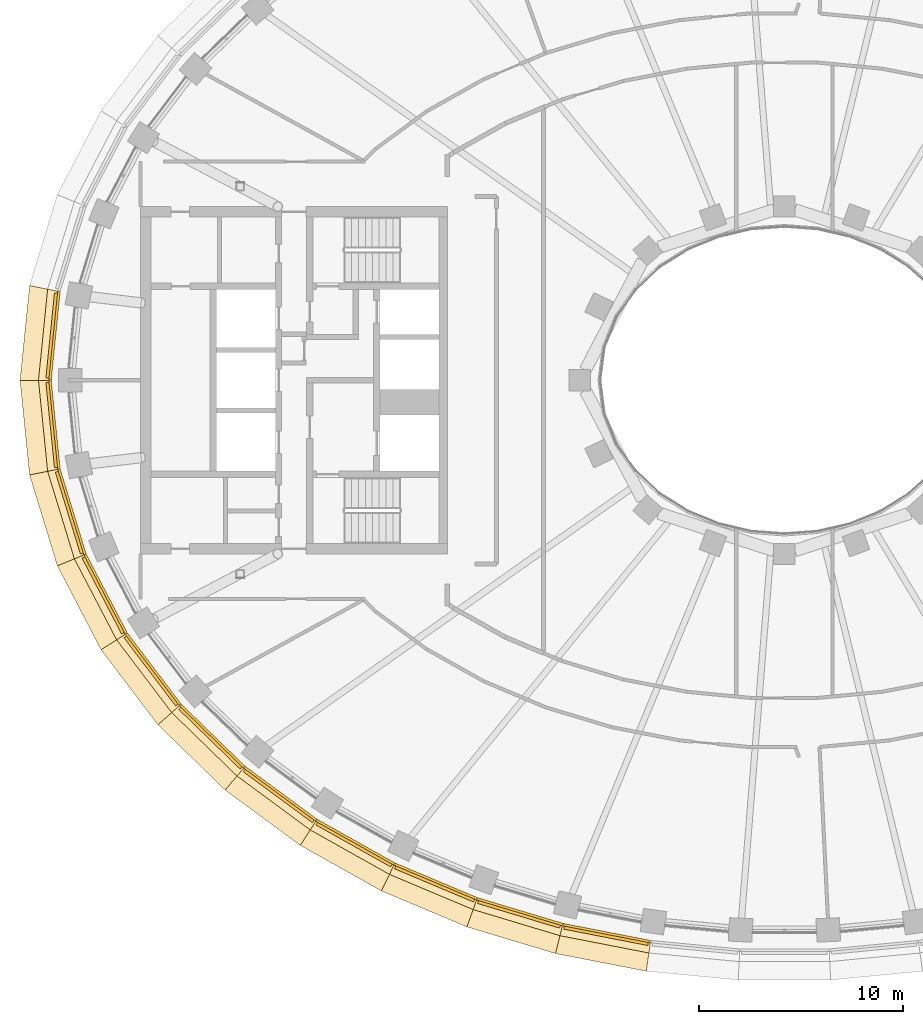
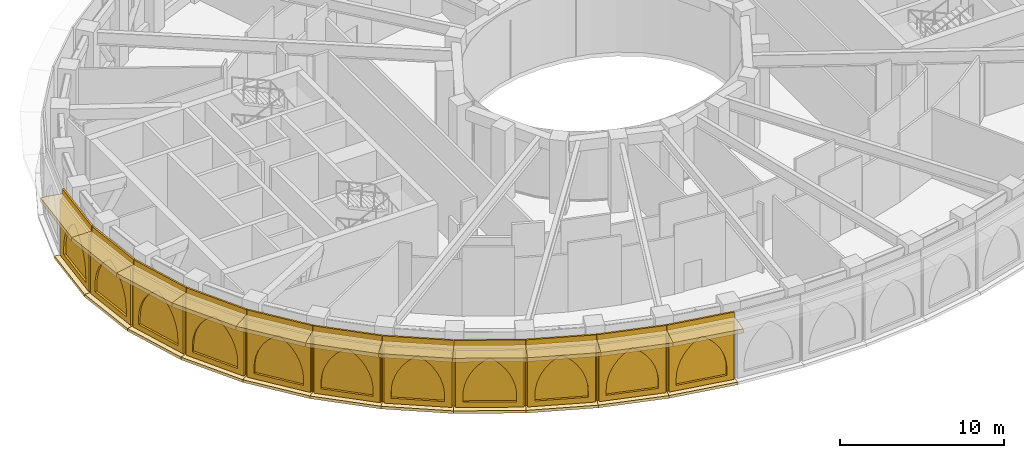
# One storey, part 20 of 25: 44 coverings.
"""IFC4 building model written with IfcOpenShell, lengths in metres."""

from ifc_helpers import new_model, si_unit, direction, frame, origin, origin_2d, place, context, subcontext, project, spatial, polyline, rectangle, outline, extrude, material, layer, layer_set, type_object, element, save


model = new_model("IFC4")

# Units and contexts
model_context = context("Model", 3, precision=1e-05, world=origin(), true_north=direction((0.0, 1.0)))
body_context = subcontext(model_context, "Body", "Model", "MODEL_VIEW")
ifc_project = project(units=[si_unit("LENGTHUNIT", "METRE"), si_unit("AREAUNIT", "SQUARE_METRE"), si_unit("VOLUMEUNIT", "CUBIC_METRE"), si_unit("PLANEANGLEUNIT", "RADIAN"), si_unit("MASSUNIT", "GRAM", prefix="KILO")], contexts=[model_context])

# Site, building, storey
site_placement = place(None, origin())
site = spatial("IfcSite", under=ifc_project, at=site_placement, CompositionType="ELEMENT")
building_placement = place(site_placement, origin())
building = spatial("IfcBuilding", under=site, at=building_placement, Name="Noorbagh Ring Tower", CompositionType="ELEMENT")
storey_placement = place(building_placement, frame((0.0, 0.0, 198.0)))
storey = spatial("IfcBuildingStorey", under=building, at=storey_placement, Name="L46", CompositionType="ELEMENT", Elevation=198.0)

# Coverings
ifc_material_1 = material(Name="Aluminium 6063-T6 black anodised", Category="aluminium")
ifc_layer_1 = layer(ifc_material_1, 0.1201171875)
ifc_layer_set_1 = layer_set([ifc_layer_1], Name="Aluminium 6063-T6 black anodised")
covering_type_1 = type_object("IfcCoveringType", Name="ENV-LOUVRE-BAND", PredefinedType="CLADDING", material=ifc_layer_set_1)
for number, where, z_axis, x_axis, name in (
    (1, (-35.720947265625, 2.17333984375, -0.2998046875), (0.0, 0.0, 1.0), (-0.100178263068, -0.994969504864, 0.0), "Louvre screen chord 23"),
    (2, (-35.720947265625, -2.17333984375, -0.2998046875), (0.0, 0.0, 1.0), (0.100178263068, -0.994969504864, 0.0), "Louvre screen chord 24"),
):
    element("IfcCovering", number, at=place(storey_placement, frame(where, z_axis=z_axis, x_axis=x_axis)), inside=storey, type_object=covering_type_1, Name=name, ObjectType="LOUVRE", PredefinedType="CLADDING", context=body_context, shape_type="SweptSolid", body=[
        extrude(rectangle(XDim=4.34423828125, YDim=0.1201171875, at=origin_2d()), origin(), (0.0, 0.0, 1.0), 5.449951171875),
    ])
covering_1_placement = place(storey_placement, frame((-34.86376953125, -6.436279296875, -0.2998046875), z_axis=(0.0, 0.0, 1.0), x_axis=(0.292170066961, -0.95636637957, 0.0)))
element("IfcCovering", 3, at=covering_1_placement, inside=storey, type_object=covering_type_1, Name="Louvre screen chord 25", ObjectType="LOUVRE", PredefinedType="CLADDING", context=body_context, shape_type="SweptSolid", body=[
    extrude(rectangle(XDim=4.344970703125, YDim=0.1201171875, at=origin_2d()), origin(), (0.0, 0.0, 1.0), 5.449951171875),
])
covering_2_placement = place(storey_placement, frame((-33.21484375, -10.464111328125, -0.2998046875), z_axis=(0.0, 0.0, 1.0), x_axis=(0.462278064231, -0.88673501754, 0.0)))
element("IfcCovering", 4, at=covering_2_placement, inside=storey, type_object=covering_type_1, Name="Louvre screen chord 26", ObjectType="LOUVRE", PredefinedType="CLADDING", context=body_context, shape_type="SweptSolid", body=[
    extrude(rectangle(XDim=4.345947265625, YDim=0.1201171875, at=origin_2d()), origin(), (0.0, 0.0, 1.0), 5.449951171875),
])
covering_3_placement = place(storey_placement, frame((-30.883544921875, -14.145263671875, -0.2998046875), z_axis=(0.0, 0.0, 1.0), x_axis=(0.604020184358, -0.796969018776, 0.0)))
element("IfcCovering", 5, at=covering_3_placement, inside=storey, type_object=covering_type_1, Name="Louvre screen chord 27", ObjectType="LOUVRE", PredefinedType="CLADDING", context=body_context, shape_type="SweptSolid", body=[
    extrude(rectangle(XDim=4.346923828125, YDim=0.1201171875, at=origin_2d()), origin(), (0.0, 0.0, 1.0), 5.449951171875),
])
covering_4_placement = place(storey_placement, frame((-27.993408203125, -17.41259765625, -0.2998046875), z_axis=(0.0, 0.0, 1.0), x_axis=(0.717224548362, -0.696842125038, 0.0)))
element("IfcCovering", 6, at=covering_4_placement, inside=storey, type_object=covering_type_1, Name="Louvre screen chord 28", ObjectType="LOUVRE", PredefinedType="CLADDING", context=body_context, shape_type="SweptSolid", body=[
    extrude(rectangle(XDim=4.347900390625, YDim=0.1201171875, at=origin_2d()), origin(), (0.0, 0.0, 1.0), 5.449951171875),
])
covering_5_placement = place(storey_placement, frame((-24.662109375, -20.2353515625, -0.2998046875), z_axis=(0.0, 0.0, 1.0), x_axis=(0.805153045326, -0.593067090304, 0.0)))
element("IfcCovering", 7, at=covering_5_placement, inside=storey, type_object=covering_type_1, Name="Louvre screen chord 29", ObjectType="LOUVRE", PredefinedType="CLADDING", context=body_context, shape_type="SweptSolid", body=[
    extrude(rectangle(XDim=4.3486328125, YDim=0.1201171875, at=origin_2d()), origin(), (0.0, 0.0, 1.0), 5.449951171875),
])
covering_6_placement = place(storey_placement, frame((-20.990966796875, -22.604736328125, -0.2998046875), z_axis=(0.0, 0.0, 1.0), x_axis=(0.872044586249, -0.48942643941, 0.0)))
element("IfcCovering", 8, at=covering_6_placement, inside=storey, type_object=covering_type_1, Name="Louvre screen chord 30", ObjectType="LOUVRE", PredefinedType="CLADDING", context=body_context, shape_type="SweptSolid", body=[
    extrude(rectangle(XDim=4.34912109375, YDim=0.1201171875, at=origin_2d()), origin(), (0.0, 0.0, 1.0), 5.449951171875),
])
covering_7_placement = place(storey_placement, frame((-17.0634765625, -24.52490234375, -0.2998046875), z_axis=(0.0, 0.0, 1.0), x_axis=(0.921811566494, -0.387638279686, 0.0)))
element("IfcCovering", 9, at=covering_7_placement, inside=storey, type_object=covering_type_1, Name="Louvre screen chord 31", ObjectType="LOUVRE", PredefinedType="CLADDING", context=body_context, shape_type="SweptSolid", body=[
    extrude(rectangle(XDim=4.349365234375, YDim=0.1201171875, at=origin_2d()), origin(), (0.0, 0.0, 1.0), 5.449951171875),
])
covering_8_placement = place(storey_placement, frame((-12.947998046875, -26.0048828125, -0.2998046875), z_axis=(0.0, 0.0, 1.0), x_axis=(0.957577925467, -0.28817445525, 0.0)))
element("IfcCovering", 10, at=covering_8_placement, inside=storey, type_object=covering_type_1, Name="Louvre screen chord 32", ObjectType="LOUVRE", PredefinedType="CLADDING", context=body_context, shape_type="SweptSolid", body=[
    extrude(rectangle(XDim=4.349609375, YDim=0.1201171875, at=origin_2d()), origin(), (0.0, 0.0, 1.0), 5.449951171875),
])
covering_9_placement = place(storey_placement, frame((-8.700927734375, -27.053955078125, -0.2998046875), z_axis=(0.0, 0.0, 1.0), x_axis=(0.981624952922, -0.190820470077, 0.0)))
element("IfcCovering", 11, at=covering_9_placement, inside=storey, type_object=covering_type_1, Name="Louvre screen chord 33", ObjectType="LOUVRE", PredefinedType="CLADDING", context=body_context, shape_type="SweptSolid", body=[
    extrude(rectangle(XDim=4.349853515625, YDim=0.1201171875, at=origin_2d()), origin(), (0.0, 0.0, 1.0), 5.449951171875),
])
ifc_material_2 = material(Name="Red sandstone cladding", Category="masonry")
ifc_layer_2 = layer(ifc_material_2, 0.14990234375)
ifc_layer_set_2 = layer_set([ifc_layer_2], Name="Red sandstone cladding")
covering_type_2 = type_object("IfcCoveringType", Name="STYLE-BAND-ARCADE", PredefinedType="USERDEFINED", material=ifc_layer_set_2)
for number, where, z_axis, x_axis, name in (
    (12, (-35.720458984375, 4.274169921875, 0.25), (-0.99497222215, 0.100151271334, 0.0), (-0.100151271334, -0.99497222215, 0.0), "Blind arch bay of the band"),
    (13, (-36.13916015625, -0.114501953125, 0.25), (-0.99497222215, -0.100151271334, 0.0), (0.100151271334, -0.99497222215, 0.0), "Blind arch bay of the band"),
):
    element("IfcCovering", number, at=place(storey_placement, frame(where, z_axis=z_axis, x_axis=x_axis)), inside=storey, type_object=covering_type_2, Name=name, ObjectType="ARCH", PredefinedType="USERDEFINED", context=body_context, shape_type="SweptSolid", body=[
        extrude(outline(polyline([(0.0, 0.0), (4.1806640625, 0.0), (4.1806640625, 4.25), (0.0, 4.25), (0.0, 0.0)]), holes=[polyline([(0.449951171875, 0.39990234375), (0.449951171875, 0.85888671875), (0.47802734375, 1.287109375), (0.561767578125, 1.7080078125), (0.69970703125, 2.114501953125), (0.889404296875, 2.499267578125), (1.1279296875, 2.856201171875), (1.410888671875, 3.1787109375), (1.7333984375, 3.461669921875), (2.09033203125, 3.7001953125), (2.447265625, 3.461669921875), (2.769775390625, 3.1787109375), (3.052734375, 2.856201171875), (3.291259765625, 2.499267578125), (3.48095703125, 2.114501953125), (3.618896484375, 1.7080078125), (3.70263671875, 1.287109375), (3.730712890625, 0.85888671875), (3.730712890625, 0.39990234375), (0.449951171875, 0.39990234375)])]), origin(), (0.0, 0.0, -1.0), 0.14990234375),
    ])
covering_10_placement = place(storey_placement, frame((-35.67529296875, -4.498046875, 0.25), z_axis=(-0.956367886414, -0.292165134531, 0.0), x_axis=(0.292165134531, -0.956367886414, 0.0)))
element("IfcCovering", 14, at=covering_10_placement, inside=storey, type_object=covering_type_2, Name="Blind arch bay of the band", ObjectType="ARCH", PredefinedType="USERDEFINED", context=body_context, shape_type="SweptSolid", body=[
    extrude(outline(polyline([(0.0, 0.0), (4.181396484375, 0.0), (4.181396484375, 4.25), (0.0, 4.25), (0.0, 0.0)]), holes=[polyline([(0.449951171875, 0.39990234375), (0.449951171875, 0.8583984375), (0.47802734375, 1.28662109375), (0.561767578125, 1.70751953125), (0.69970703125, 2.114013671875), (0.8896484375, 2.4990234375), (1.128173828125, 2.85595703125), (1.4111328125, 3.1787109375), (1.73388671875, 3.461669921875), (2.0908203125, 3.7001953125), (2.447509765625, 3.461669921875), (2.770263671875, 3.1787109375), (3.05322265625, 2.85595703125), (3.291748046875, 2.4990234375), (3.4814453125, 2.114013671875), (3.619384765625, 1.70751953125), (3.703125, 1.28662109375), (3.731201171875, 0.8583984375), (3.731201171875, 0.39990234375), (0.449951171875, 0.39990234375)])]), origin(), (0.0, 0.0, -1.0), 0.14990234375),
])
covering_11_placement = place(storey_placement, frame((-34.367919921875, -8.706787109375, 0.25), z_axis=(-0.886709716342, -0.462326593379, 0.0), x_axis=(0.462326593379, -0.886709716342, 0.0)))
element("IfcCovering", 15, at=covering_11_placement, inside=storey, type_object=covering_type_2, Name="Blind arch bay of the band", ObjectType="ARCH", PredefinedType="USERDEFINED", context=body_context, shape_type="SweptSolid", body=[
    extrude(outline(polyline([(0.0, 0.0), (4.182373046875, 0.0), (4.182373046875, 4.25), (0.0, 4.25), (0.0, 0.0)]), holes=[polyline([(0.449951171875, 0.39990234375), (0.449951171875, 0.857421875), (0.47802734375, 1.285888671875), (0.561767578125, 1.70703125), (0.699951171875, 2.113525390625), (0.8896484375, 2.498779296875), (1.12841796875, 2.855712890625), (1.411376953125, 3.178466796875), (1.734130859375, 3.461669921875), (2.09130859375, 3.7001953125), (2.447998046875, 3.461669921875), (2.77099609375, 3.178466796875), (3.053955078125, 2.855712890625), (3.29248046875, 2.498779296875), (3.482421875, 2.113525390625), (3.62060546875, 1.70703125), (3.7041015625, 1.285888671875), (3.732421875, 0.857421875), (3.732421875, 0.39990234375), (0.449951171875, 0.39990234375)])]), origin(), (0.0, 0.0, -1.0), 0.14990234375),
])
covering_12_placement = place(storey_placement, frame((-32.314453125, -12.60498046875, 0.25), z_axis=(-0.796985737541, -0.603998124299, 0.0), x_axis=(0.603998124299, -0.796985737541, 0.0)))
element("IfcCovering", 16, at=covering_12_placement, inside=storey, type_object=covering_type_2, Name="Blind arch bay of the band", ObjectType="ARCH", PredefinedType="USERDEFINED", context=body_context, shape_type="SweptSolid", body=[
    extrude(outline(polyline([(0.0, 0.0), (4.18359375, 0.0), (4.18359375, 4.25), (0.0, 4.25), (0.0, 0.0)]), holes=[polyline([(0.449951171875, 0.39990234375), (0.449951171875, 0.856689453125), (0.47802734375, 1.28515625), (0.56201171875, 1.706298828125), (0.699951171875, 2.113037109375), (0.889892578125, 2.498291015625), (1.12841796875, 2.85546875), (1.41162109375, 3.17822265625), (1.734619140625, 3.46142578125), (2.091796875, 3.7001953125), (2.44873046875, 3.46142578125), (2.771728515625, 3.17822265625), (3.054931640625, 2.85546875), (3.29345703125, 2.498291015625), (3.4833984375, 2.113037109375), (3.62158203125, 1.706298828125), (3.705322265625, 1.28515625), (3.7333984375, 0.856689453125), (3.7333984375, 0.39990234375), (0.449951171875, 0.39990234375)])]), origin(), (0.0, 0.0, -1.0), 0.14990234375),
])
covering_13_placement = place(storey_placement, frame((-29.640380859375, -16.10546875, 0.25), z_axis=(-0.696851724238, -0.717215221831, 0.0), x_axis=(0.717215221831, -0.696851724238, 0.0)))
element("IfcCovering", 17, at=covering_13_placement, inside=storey, type_object=covering_type_2, Name="Blind arch bay of the band", ObjectType="ARCH", PredefinedType="USERDEFINED", context=body_context, shape_type="SweptSolid", body=[
    extrude(outline(polyline([(0.0, 0.0), (4.184326171875, 0.0), (4.184326171875, 4.25), (0.0, 4.25), (0.0, 0.0)]), holes=[polyline([(0.449951171875, 0.39990234375), (0.449951171875, 0.855712890625), (0.47802734375, 1.284423828125), (0.56201171875, 1.705810546875), (0.699951171875, 2.11279296875), (0.889892578125, 2.498046875), (1.128662109375, 2.855224609375), (1.411865234375, 3.17822265625), (1.73486328125, 3.46142578125), (2.092041015625, 3.7001953125), (2.44921875, 3.46142578125), (2.772216796875, 3.17822265625), (3.0556640625, 2.855224609375), (3.294189453125, 2.498046875), (3.484130859375, 2.11279296875), (3.622314453125, 1.705810546875), (3.706298828125, 1.284423828125), (3.734130859375, 0.855712890625), (3.734130859375, 0.39990234375), (0.449951171875, 0.39990234375)])]), origin(), (0.0, 0.0, -1.0), 0.14990234375),
])
covering_14_placement = place(storey_placement, frame((-26.471435546875, -19.163330078125, 0.25), z_axis=(-0.593079629262, -0.805143809114, 0.0), x_axis=(0.805143809114, -0.593079629262, 0.0)))
element("IfcCovering", 18, at=covering_14_placement, inside=storey, type_object=covering_type_2, Name="Blind arch bay of the band", ObjectType="ARCH", PredefinedType="USERDEFINED", context=body_context, shape_type="SweptSolid", body=[
    extrude(outline(polyline([(0.0, 0.0), (4.184814453125, 0.0), (4.184814453125, 4.25), (0.0, 4.25), (0.0, 0.0)]), holes=[polyline([(0.449951171875, 0.39990234375), (0.449951171875, 0.855224609375), (0.47802734375, 1.283935546875), (0.56201171875, 1.705322265625), (0.7001953125, 2.1123046875), (0.89013671875, 2.497802734375), (1.12890625, 2.85498046875), (1.412109375, 3.177978515625), (1.735107421875, 3.46142578125), (2.092529296875, 3.7001953125), (2.44970703125, 3.46142578125), (2.772705078125, 3.177978515625), (3.05615234375, 2.85498046875), (3.294921875, 2.497802734375), (3.48486328125, 2.1123046875), (3.623046875, 1.705322265625), (3.706787109375, 1.283935546875), (3.73486328125, 0.855224609375), (3.73486328125, 0.39990234375), (0.449951171875, 0.39990234375)])]), origin(), (0.0, 0.0, -1.0), 0.14990234375),
])
covering_15_placement = place(storey_placement, frame((-22.918701171875, -21.763671875, 0.25), z_axis=(-0.489402470802, -0.872058037961, 0.0), x_axis=(0.872058037961, -0.489402470802, 0.0)))
element("IfcCovering", 19, at=covering_15_placement, inside=storey, type_object=covering_type_2, Name="Blind arch bay of the band", ObjectType="ARCH", PredefinedType="USERDEFINED", context=body_context, shape_type="SweptSolid", body=[
    extrude(outline(polyline([(0.0, 0.0), (4.185302734375, 0.0), (4.185302734375, 4.25), (0.0, 4.25), (0.0, 0.0)]), holes=[polyline([(0.449951171875, 0.39990234375), (0.449951171875, 0.854736328125), (0.47802734375, 1.28369140625), (0.56201171875, 1.705078125), (0.7001953125, 2.112060546875), (0.89013671875, 2.49755859375), (1.12890625, 2.85498046875), (1.412353515625, 3.177978515625), (1.7353515625, 3.461181640625), (2.0927734375, 3.7001953125), (2.4501953125, 3.461181640625), (2.773193359375, 3.177978515625), (3.056396484375, 2.85498046875), (3.29541015625, 2.49755859375), (3.4853515625, 2.112060546875), (3.62353515625, 1.705078125), (3.70751953125, 1.28369140625), (3.735595703125, 0.854736328125), (3.735595703125, 0.39990234375), (0.449951171875, 0.39990234375)])]), origin(), (0.0, 0.0, -1.0), 0.14990234375),
])
covering_16_placement = place(storey_placement, frame((-19.07421875, -23.9072265625, 0.25), z_axis=(-0.387624121421, -0.92181752017, 0.0), x_axis=(0.92181752017, -0.387624121421, 0.0)))
element("IfcCovering", 20, at=covering_16_placement, inside=storey, type_object=covering_type_2, Name="Blind arch bay of the band", ObjectType="ARCH", PredefinedType="USERDEFINED", context=body_context, shape_type="SweptSolid", body=[
    extrude(outline(polyline([(0.0, 0.0), (4.185791015625, 0.0), (4.185791015625, 4.25), (0.0, 4.25), (0.0, 0.0)]), holes=[polyline([(0.449951171875, 0.39990234375), (0.449951171875, 0.8544921875), (0.47802734375, 1.283447265625), (0.56201171875, 1.704833984375), (0.7001953125, 2.11181640625), (0.89013671875, 2.497314453125), (1.12890625, 2.854736328125), (1.412353515625, 3.177978515625), (1.735595703125, 3.461181640625), (2.093017578125, 3.7001953125), (2.4501953125, 3.461181640625), (2.7734375, 3.177978515625), (3.056884765625, 2.854736328125), (3.295654296875, 2.497314453125), (3.485595703125, 2.11181640625), (3.623779296875, 1.704833984375), (3.707763671875, 1.283447265625), (3.73583984375, 0.8544921875), (3.73583984375, 0.39990234375), (0.449951171875, 0.39990234375)])]), origin(), (0.0, 0.0, -1.0), 0.14990234375),
])
covering_17_placement = place(storey_placement, frame((-15.0126953125, -25.602783203125, 0.25), z_axis=(-0.288182515773, -0.957575499688, 0.0), x_axis=(0.957575499688, -0.288182515773, 0.0)))
element("IfcCovering", 21, at=covering_17_placement, inside=storey, type_object=covering_type_2, Name="Blind arch bay of the band", ObjectType="ARCH", PredefinedType="USERDEFINED", context=body_context, shape_type="SweptSolid", body=[
    extrude(outline(polyline([(0.0, 0.0), (4.185791015625, 0.0), (4.185791015625, 4.25), (0.0, 4.25), (0.0, 0.0)]), holes=[polyline([(0.449951171875, 0.39990234375), (0.449951171875, 0.854248046875), (0.47802734375, 1.283203125), (0.56201171875, 1.704833984375), (0.7001953125, 2.11181640625), (0.890380859375, 2.497314453125), (1.129150390625, 2.854736328125), (1.41259765625, 3.177978515625), (1.735595703125, 3.461181640625), (2.093017578125, 3.7001953125), (2.450439453125, 3.461181640625), (2.773681640625, 3.177978515625), (3.056884765625, 2.854736328125), (3.2958984375, 2.497314453125), (3.48583984375, 2.11181640625), (3.6240234375, 1.704833984375), (3.7080078125, 1.283203125), (3.736083984375, 0.854248046875), (3.736083984375, 0.39990234375), (0.449951171875, 0.39990234375)])]), origin(), (0.0, 0.0, -1.0), 0.14990234375),
])
covering_18_placement = place(storey_placement, frame((-10.7958984375, -26.860595703125, 0.25), z_axis=(-0.190819708322, -0.981625101001, 0.0), x_axis=(0.981625101001, -0.190819708322, 0.0)))
element("IfcCovering", 22, at=covering_18_placement, inside=storey, type_object=covering_type_2, Name="Blind arch bay of the band", ObjectType="ARCH", PredefinedType="USERDEFINED", context=body_context, shape_type="SweptSolid", body=[
    extrude(outline(polyline([(0.0, 0.0), (4.186279296875, 0.0), (4.186279296875, 4.25), (0.0, 4.25), (0.0, 0.0)]), holes=[polyline([(0.449951171875, 0.39990234375), (0.449951171875, 0.85400390625), (0.47802734375, 1.283203125), (0.56201171875, 1.70458984375), (0.7001953125, 2.11181640625), (0.890380859375, 2.497314453125), (1.129150390625, 2.854736328125), (1.41259765625, 3.177734375), (1.735595703125, 3.461181640625), (2.093017578125, 3.7001953125), (2.450439453125, 3.461181640625), (2.773681640625, 3.177734375), (3.05712890625, 2.854736328125), (3.2958984375, 2.497314453125), (3.486083984375, 2.11181640625), (3.624267578125, 1.70458984375), (3.7080078125, 1.283203125), (3.736083984375, 0.85400390625), (3.736083984375, 0.39990234375), (0.449951171875, 0.39990234375)])]), origin(), (0.0, 0.0, -1.0), 0.14990234375),
])
ifc_material_3 = material(Name="Red sandstone eave", Category="masonry")
covering_type_3 = type_object("IfcCoveringType", Name="STYLE-BAND-EAVE", PredefinedType="USERDEFINED", material=ifc_material_3)
covering_19_placement = place(storey_placement, frame((0.0, 0.0, 4.5)))
element("IfcCovering", 23, at=covering_19_placement, inside=storey, type_object=covering_type_3, Name="Chhajja eave", ObjectType="CHHAJJA", PredefinedType="USERDEFINED", context=body_context, shape_type="SweptSolid", body=[
    extrude(outline(polyline([(-35.561279296875, 4.358642578125), (-36.0, 0.0), (-37.406982421875, 0.0), (-36.940185546875, 4.635986328125), (-35.561279296875, 4.358642578125)])), origin(), (0.0, 0.0, 1.0), 0.300048828125),
])
covering_20_placement = place(storey_placement, frame((0.0, 0.0, 4.5)))
element("IfcCovering", 24, at=covering_20_placement, inside=storey, type_object=covering_type_3, Name="Chhajja eave", ObjectType="CHHAJJA", PredefinedType="USERDEFINED", context=body_context, shape_type="SweptSolid", body=[
    extrude(outline(polyline([(-36.0, 0.0), (-35.561279296875, -4.358642578125), (-36.940185546875, -4.635986328125), (-37.406982421875, 0.0), (-36.0, 0.0)])), origin(), (0.0, 0.0, 1.0), 0.300048828125),
])
covering_21_placement = place(storey_placement, frame((0.0, 0.0, 4.5)))
element("IfcCovering", 25, at=covering_21_placement, inside=storey, type_object=covering_type_3, Name="Chhajja eave", ObjectType="CHHAJJA", PredefinedType="USERDEFINED", context=body_context, shape_type="SweptSolid", body=[
    extrude(outline(polyline([(-35.561279296875, -4.358642578125), (-34.281005859375, -8.548828125), (-35.582275390625, -9.081298828125), (-36.940185546875, -4.635986328125), (-35.561279296875, -4.358642578125)])), origin(), (0.0, 0.0, 1.0), 0.300048828125),
])
covering_22_placement = place(storey_placement, frame((0.0, 0.0, 4.5)))
element("IfcCovering", 26, at=covering_22_placement, inside=storey, type_object=covering_type_3, Name="Chhajja eave", ObjectType="CHHAJJA", PredefinedType="USERDEFINED", context=body_context, shape_type="SweptSolid", body=[
    extrude(outline(polyline([(-34.281005859375, -8.548828125), (-32.255126953125, -12.434814453125), (-33.442138671875, -13.186279296875), (-35.582275390625, -9.081298828125), (-34.281005859375, -8.548828125)])), origin(), (0.0, 0.0, 1.0), 0.300048828125),
])
covering_23_placement = place(storey_placement, frame((0.0, 0.0, 4.5)))
element("IfcCovering", 27, at=covering_23_placement, inside=storey, type_object=covering_type_3, Name="Chhajja eave", ObjectType="CHHAJJA", PredefinedType="USERDEFINED", context=body_context, shape_type="SweptSolid", body=[
    extrude(outline(polyline([(-32.255126953125, -12.434814453125), (-29.607666015625, -15.927978515625), (-30.6591796875, -16.8583984375), (-33.442138671875, -13.186279296875), (-32.255126953125, -12.434814453125)])), origin(), (0.0, 0.0, 1.0), 0.300048828125),
])
covering_24_placement = place(storey_placement, frame((0.0, 0.0, 4.5)))
element("IfcCovering", 28, at=covering_24_placement, inside=storey, type_object=covering_type_3, Name="Chhajja eave", ObjectType="CHHAJJA", PredefinedType="USERDEFINED", context=body_context, shape_type="SweptSolid", body=[
    extrude(outline(polyline([(-29.607666015625, -15.927978515625), (-26.463134765625, -18.9833984375), (-27.3701171875, -20.053955078125), (-30.6591796875, -16.8583984375), (-29.607666015625, -15.927978515625)])), origin(), (0.0, 0.0, 1.0), 0.300048828125),
])
covering_25_placement = place(storey_placement, frame((0.0, 0.0, 4.5)))
element("IfcCovering", 29, at=covering_25_placement, inside=storey, type_object=covering_type_3, Name="Chhajja eave", ObjectType="CHHAJJA", PredefinedType="USERDEFINED", context=body_context, shape_type="SweptSolid", body=[
    extrude(outline(polyline([(-26.463134765625, -18.9833984375), (-22.9326171875, -21.583740234375), (-23.693115234375, -22.762451171875), (-27.3701171875, -20.053955078125), (-26.463134765625, -18.9833984375)])), origin(), (0.0, 0.0, 1.0), 0.300048828125),
])
covering_26_placement = place(storey_placement, frame((0.0, 0.0, 4.5)))
element("IfcCovering", 30, at=covering_26_placement, inside=storey, type_object=covering_type_3, Name="Chhajja eave", ObjectType="CHHAJJA", PredefinedType="USERDEFINED", context=body_context, shape_type="SweptSolid", body=[
    extrude(outline(polyline([(-22.9326171875, -21.583740234375), (-19.108154296875, -23.730224609375), (-19.72412109375, -24.989990234375), (-23.693115234375, -22.762451171875), (-22.9326171875, -21.583740234375)])), origin(), (0.0, 0.0, 1.0), 0.300048828125),
])
covering_27_placement = place(storey_placement, frame((0.0, 0.0, 4.5)))
element("IfcCovering", 31, at=covering_27_placement, inside=storey, type_object=covering_type_3, Name="Chhajja eave", ObjectType="CHHAJJA", PredefinedType="USERDEFINED", context=body_context, shape_type="SweptSolid", body=[
    extrude(outline(polyline([(-19.108154296875, -23.730224609375), (-15.065185546875, -25.430419921875), (-15.539794921875, -26.74951171875), (-19.72412109375, -24.989990234375), (-19.108154296875, -23.730224609375)])), origin(), (0.0, 0.0, 1.0), 0.300048828125),
])
covering_28_placement = place(storey_placement, frame((0.0, 0.0, 4.5)))
element("IfcCovering", 32, at=covering_28_placement, inside=storey, type_object=covering_type_3, Name="Chhajja eave", ObjectType="CHHAJJA", PredefinedType="USERDEFINED", context=body_context, shape_type="SweptSolid", body=[
    extrude(outline(polyline([(-15.065185546875, -25.430419921875), (-10.865234375, -26.6943359375), (-11.201416015625, -28.05517578125), (-15.539794921875, -26.74951171875), (-15.065185546875, -25.430419921875)])), origin(), (0.0, 0.0, 1.0), 0.300048828125),
])
covering_29_placement = place(storey_placement, frame((0.0, 0.0, 4.5)))
element("IfcCovering", 33, at=covering_29_placement, inside=storey, type_object=covering_type_3, Name="Chhajja eave", ObjectType="CHHAJJA", PredefinedType="USERDEFINED", context=body_context, shape_type="SweptSolid", body=[
    extrude(outline(polyline([(-10.865234375, -26.6943359375), (-6.559814453125, -27.53125), (-6.76025390625, -28.91845703125), (-11.201416015625, -28.05517578125), (-10.865234375, -26.6943359375)])), origin(), (0.0, 0.0, 1.0), 0.300048828125),
])
ifc_material_4 = material(Name="Red sandstone eave", Category="masonry")
covering_type_4 = type_object("IfcCoveringType", Name="STYLE-BAND-SILL", PredefinedType="USERDEFINED", material=ifc_material_4)
covering_30_placement = place(storey_placement, frame((0.0, 0.0, 0.050048828125)))
element("IfcCovering", 34, at=covering_30_placement, inside=storey, type_object=covering_type_4, Name="Sill ledge", ObjectType="CHHAJJA", PredefinedType="USERDEFINED", context=body_context, shape_type="SweptSolid", body=[
    extrude(outline(polyline([(-35.561279296875, 4.358642578125), (-36.0, 0.0), (-36.50244140625, 0.0), (-36.0537109375, 4.457763671875), (-35.561279296875, 4.358642578125)])), origin(), (0.0, 0.0, 1.0), 0.199951171875),
])
covering_31_placement = place(storey_placement, frame((0.0, 0.0, 0.050048828125)))
element("IfcCovering", 35, at=covering_31_placement, inside=storey, type_object=covering_type_4, Name="Sill ledge", ObjectType="CHHAJJA", PredefinedType="USERDEFINED", context=body_context, shape_type="SweptSolid", body=[
    extrude(outline(polyline([(-36.0, 0.0), (-35.561279296875, -4.358642578125), (-36.0537109375, -4.457763671875), (-36.50244140625, 0.0), (-36.0, 0.0)])), origin(), (0.0, 0.0, 1.0), 0.199951171875),
])
covering_32_placement = place(storey_placement, frame((0.0, 0.0, 0.050048828125)))
element("IfcCovering", 36, at=covering_32_placement, inside=storey, type_object=covering_type_4, Name="Sill ledge", ObjectType="CHHAJJA", PredefinedType="USERDEFINED", context=body_context, shape_type="SweptSolid", body=[
    extrude(outline(polyline([(-35.561279296875, -4.358642578125), (-34.281005859375, -8.548828125), (-34.745849609375, -8.739013671875), (-36.0537109375, -4.457763671875), (-35.561279296875, -4.358642578125)])), origin(), (0.0, 0.0, 1.0), 0.199951171875),
])
covering_33_placement = place(storey_placement, frame((0.0, 0.0, 0.050048828125)))
element("IfcCovering", 37, at=covering_33_placement, inside=storey, type_object=covering_type_4, Name="Sill ledge", ObjectType="CHHAJJA", PredefinedType="USERDEFINED", context=body_context, shape_type="SweptSolid", body=[
    extrude(outline(polyline([(-34.281005859375, -8.548828125), (-32.255126953125, -12.434814453125), (-32.67919921875, -12.703125), (-34.745849609375, -8.739013671875), (-34.281005859375, -8.548828125)])), origin(), (0.0, 0.0, 1.0), 0.199951171875),
])
covering_34_placement = place(storey_placement, frame((0.0, 0.0, 0.050048828125)))
element("IfcCovering", 38, at=covering_34_placement, inside=storey, type_object=covering_type_4, Name="Sill ledge", ObjectType="CHHAJJA", PredefinedType="USERDEFINED", context=body_context, shape_type="SweptSolid", body=[
    extrude(outline(polyline([(-32.255126953125, -12.434814453125), (-29.607666015625, -15.927978515625), (-29.983154296875, -16.260498046875), (-32.67919921875, -12.703125), (-32.255126953125, -12.434814453125)])), origin(), (0.0, 0.0, 1.0), 0.199951171875),
])
covering_35_placement = place(storey_placement, frame((0.0, 0.0, 0.050048828125)))
element("IfcCovering", 39, at=covering_35_placement, inside=storey, type_object=covering_type_4, Name="Sill ledge", ObjectType="CHHAJJA", PredefinedType="USERDEFINED", context=body_context, shape_type="SweptSolid", body=[
    extrude(outline(polyline([(-29.607666015625, -15.927978515625), (-26.463134765625, -18.9833984375), (-26.787109375, -19.365478515625), (-29.983154296875, -16.260498046875), (-29.607666015625, -15.927978515625)])), origin(), (0.0, 0.0, 1.0), 0.199951171875),
])
covering_36_placement = place(storey_placement, frame((0.0, 0.0, 0.050048828125)))
element("IfcCovering", 40, at=covering_36_placement, inside=storey, type_object=covering_type_4, Name="Sill ledge", ObjectType="CHHAJJA", PredefinedType="USERDEFINED", context=body_context, shape_type="SweptSolid", body=[
    extrude(outline(polyline([(-26.463134765625, -18.9833984375), (-22.9326171875, -21.583740234375), (-23.2041015625, -22.004638671875), (-26.787109375, -19.365478515625), (-26.463134765625, -18.9833984375)])), origin(), (0.0, 0.0, 1.0), 0.199951171875),
])
covering_37_placement = place(storey_placement, frame((0.0, 0.0, 0.050048828125)))
element("IfcCovering", 41, at=covering_37_placement, inside=storey, type_object=covering_type_4, Name="Sill ledge", ObjectType="CHHAJJA", PredefinedType="USERDEFINED", context=body_context, shape_type="SweptSolid", body=[
    extrude(outline(polyline([(-22.9326171875, -21.583740234375), (-19.108154296875, -23.730224609375), (-19.328125, -24.18017578125), (-23.2041015625, -22.004638671875), (-22.9326171875, -21.583740234375)])), origin(), (0.0, 0.0, 1.0), 0.199951171875),
])
covering_38_placement = place(storey_placement, frame((0.0, 0.0, 0.050048828125)))
element("IfcCovering", 42, at=covering_38_placement, inside=storey, type_object=covering_type_4, Name="Sill ledge", ObjectType="CHHAJJA", PredefinedType="USERDEFINED", context=body_context, shape_type="SweptSolid", body=[
    extrude(outline(polyline([(-19.108154296875, -23.730224609375), (-15.065185546875, -25.430419921875), (-15.234619140625, -25.901611328125), (-19.328125, -24.18017578125), (-19.108154296875, -23.730224609375)])), origin(), (0.0, 0.0, 1.0), 0.199951171875),
])
covering_39_placement = place(storey_placement, frame((0.0, 0.0, 0.050048828125)))
element("IfcCovering", 43, at=covering_39_placement, inside=storey, type_object=covering_type_4, Name="Sill ledge", ObjectType="CHHAJJA", PredefinedType="USERDEFINED", context=body_context, shape_type="SweptSolid", body=[
    extrude(outline(polyline([(-15.065185546875, -25.430419921875), (-10.865234375, -26.6943359375), (-10.9853515625, -27.180419921875), (-15.234619140625, -25.901611328125), (-15.065185546875, -25.430419921875)])), origin(), (0.0, 0.0, 1.0), 0.199951171875),
])
covering_40_placement = place(storey_placement, frame((0.0, 0.0, 0.050048828125)))
element("IfcCovering", 44, at=covering_40_placement, inside=storey, type_object=covering_type_4, Name="Sill ledge", ObjectType="CHHAJJA", PredefinedType="USERDEFINED", context=body_context, shape_type="SweptSolid", body=[
    extrude(outline(polyline([(-10.865234375, -26.6943359375), (-6.559814453125, -27.53125), (-6.63134765625, -28.026611328125), (-10.9853515625, -27.180419921875), (-10.865234375, -26.6943359375)])), origin(), (0.0, 0.0, 1.0), 0.199951171875),
])

save(model, "model.ifc")
